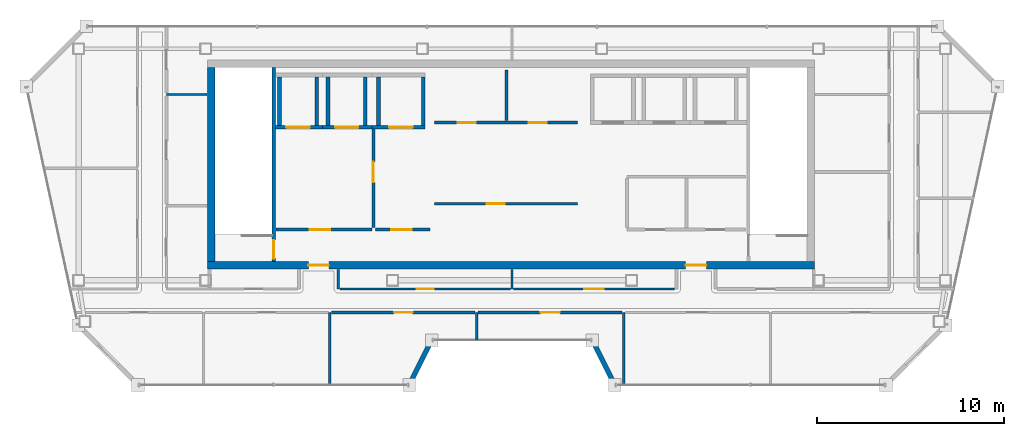
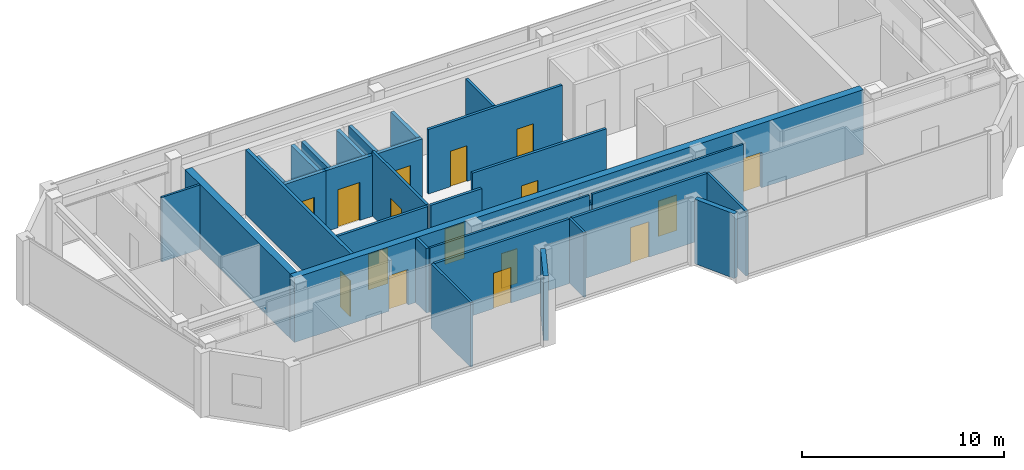
# One storey, part 14 of 17: 30 walls, 16 doors, 16 openings.
"""IFC4 building model written with IfcOpenShell, lengths in metres."""

from ifc_helpers import new_model, si_unit, direction, frame, frame_2d, origin, place, context, subcontext, project, spatial, rectangle, extrude, material, layer, layer_set, type_object, element, fill, save


model = new_model("IFC4")

# Units and contexts
model_context = context("Model", 3, precision=1e-05, world=origin(), true_north=direction((0.0, 1.0)))
body_context = subcontext(model_context, "Body", "Model", "MODEL_VIEW")
ifc_project = project(units=[si_unit("LENGTHUNIT", "METRE"), si_unit("AREAUNIT", "SQUARE_METRE"), si_unit("VOLUMEUNIT", "CUBIC_METRE"), si_unit("PLANEANGLEUNIT", "RADIAN"), si_unit("MASSUNIT", "GRAM", prefix="KILO")], contexts=[model_context])

# Site, building, storey
site_placement = place(None, origin())
site = spatial("IfcSite", under=ifc_project, at=site_placement, CompositionType="ELEMENT")
building_placement = place(site_placement, origin())
building = spatial("IfcBuilding", under=site, at=building_placement, Name="Saevonmaru Cultural Tower", CompositionType="ELEMENT")
storey_placement = place(building_placement, frame((0.0, 0.0, 323.39990234375)))
storey = spatial("IfcBuildingStorey", under=building, at=storey_placement, Name="L77", CompositionType="ELEMENT", Elevation=323.39990234375)

# Wall, openings, doors
ifc_material_1 = material(Name="Concrete C50/60", Category="concrete")
ifc_layer_1 = layer(ifc_material_1, 0.39990234375, Name="Concrete C50/60")
ifc_layer_set_1 = layer_set([ifc_layer_1], Name="Concrete C50/60")
wall_type_1 = type_object("IfcWallType", Name="WL-CORE-400", PredefinedType="SHEAR", material=ifc_layer_set_1)
wall_1_placement = place(storey_placement, frame((13.699951171875, 43.199951171875, 0.0), z_axis=(0.0, 0.0, 1.0), x_axis=(1.0, 0.0, 0.0)))
wall_1 = element("IfcWall", 1, at=wall_1_placement, inside=storey, type_object=wall_type_1, Name="L77 Tower RC core shear wall S", PredefinedType="SHEAR", context=body_context, shape_type="SweptSolid", body=[
    extrude(rectangle(XDim=32.5, YDim=0.39990234375, at=frame_2d((16.25, 0.0))), origin(), (0.0, 0.0, 1.0), 3.900146484375),
])
opening_1_placement = place(wall_1_placement, frame((5.39990234375, 0.0, 0.0)))
opening_1 = element("IfcOpeningElement", 2, at=opening_1_placement, cuts=wall_1, Name="Opening FD-2", PredefinedType="OPENING", context=body_context, shape_type="SweptSolid", body=[
    extrude(rectangle(XDim=1.10009765625, YDim=2.14990234375, at=frame_2d((0.550048828125, 1.074951171875))), frame((0.0, 0.2099609375, 0.0), z_axis=(0.0, -1.0, 0.0), x_axis=(1.0, 0.0, 0.0)), (0.0, 0.0, 1.0), 0.419921875),
])
opening_2_placement = place(wall_1_placement, frame((25.60009765625, 0.0, 0.0)))
opening_2 = element("IfcOpeningElement", 3, at=opening_2_placement, cuts=wall_1, Name="Opening FD-2", PredefinedType="OPENING", context=body_context, shape_type="SweptSolid", body=[
    extrude(rectangle(XDim=1.10009765625, YDim=2.14990234375, at=frame_2d((0.550048828125, 1.074951171875))), frame((0.0, 0.2099609375, 0.0), z_axis=(0.0, -1.0, 0.0), x_axis=(1.0, 0.0, 0.0)), (0.0, 0.0, 1.0), 0.419921875),
])
ifc_material_2 = material(Name="Satin Bronze Anodised Aluminium", Category="aluminium")
door_type_1 = type_object("IfcDoorType", Name="DR-FD60-1100", OperationType="SINGLE_SWING_LEFT", PredefinedType="DOOR", material=ifc_material_2)
door_1_placement = place(opening_1_placement, origin())
door_1 = element("IfcDoor", 4, at=door_1_placement, inside=storey, type_object=door_type_1, Name="L77 Core West Lobby Fire Door", OperationType="SINGLE_SWING_LEFT", OverallHeight=2.14990234375, OverallWidth=1.10009765625, PredefinedType="DOOR", context=body_context, shape_type="SweptSolid", body=[
    extrude(rectangle(XDim=1.10009765625, YDim=2.14990234375, at=frame_2d((0.550048828125, 1.074951171875))), frame((0.0, 0.02490234375, 0.0), z_axis=(0.0, -1.0, 0.0), x_axis=(1.0, 0.0, 0.0)), (0.0, 0.0, 1.0), 0.050048828125),
])
fill(opening_1, door_1)
door_2_placement = place(opening_2_placement, origin())
door_2 = element("IfcDoor", 5, at=door_2_placement, inside=storey, type_object=door_type_1, Name="L77 Core East Lobby Fire Door", OperationType="SINGLE_SWING_LEFT", OverallHeight=2.14990234375, OverallWidth=1.10009765625, PredefinedType="DOOR", context=body_context, shape_type="SweptSolid", body=[
    extrude(rectangle(XDim=1.10009765625, YDim=2.14990234375, at=frame_2d((0.550048828125, 1.074951171875))), frame((0.0, 0.02490234375, 0.0), z_axis=(0.0, -1.0, 0.0), x_axis=(1.0, 0.0, 0.0)), (0.0, 0.0, 1.0), 0.050048828125),
])
fill(opening_2, door_2)

# Wall
wall_2_placement = place(storey_placement, frame((13.89990234375, 43.39990234375, 0.0), z_axis=(0.0, 0.0, 1.0), x_axis=(0.0, 1.0, 0.0)))
element("IfcWall", 6, at=wall_2_placement, inside=storey, type_object=wall_type_1, Name="L77 Tower RC core shear wall W", PredefinedType="SHEAR", context=body_context, shape_type="SweptSolid", body=[
    extrude(rectangle(XDim=10.400146484375, YDim=0.39990234375, at=frame_2d((5.2001953125, 0.0))), origin(), (0.0, 0.0, 1.0), 3.900146484375),
])

# Wall, opening, door
ifc_material_3 = material(Name="Gypsum Fireboard Partition", Category="gypsum")
ifc_layer_2 = layer(ifc_material_3, 0.14990234375, Name="Gypsum Fireboard Partition")
ifc_layer_set_2 = layer_set([ifc_layer_2], Name="Gypsum Fireboard Partition")
wall_type_2 = type_object("IfcWallType", Name="WL-CORE-PART-150", PredefinedType="PARTITIONING", material=ifc_layer_set_2)
wall_3_placement = place(storey_placement, frame((17.360107421875, 45.1201171875, 0.0), z_axis=(0.0, 0.0, 1.0), x_axis=(1.0, 0.0, 0.0)))
wall_3 = element("IfcWall", 7, at=wall_3_placement, inside=storey, type_object=wall_type_2, Name="L77 Firefighting Lift Lobby South Wall", PredefinedType="PARTITIONING", context=body_context, shape_type="SweptSolid", body=[
    extrude(rectangle(XDim=5.139892578125, YDim=0.14990234375, at=frame_2d((2.56982421875, 0.0))), origin(), (0.0, 0.0, 1.0), 3.900146484375),
])
opening_3_placement = place(wall_3_placement, frame((1.800048828125, 0.0, 0.0)))
opening_3 = element("IfcOpeningElement", 8, at=opening_3_placement, cuts=wall_3, Name="Opening FD-2", PredefinedType="OPENING", context=body_context, shape_type="SweptSolid", body=[
    extrude(rectangle(XDim=1.10009765625, YDim=2.14990234375, at=frame_2d((0.550048828125, 1.074951171875))), frame((0.0, 0.0849609375, 0.0), z_axis=(0.0, -1.0, 0.0), x_axis=(1.0, 0.0, 0.0)), (0.0, 0.0, 1.0), 0.169921875),
])
door_3_placement = place(opening_3_placement, origin())
door_3 = element("IfcDoor", 9, at=door_3_placement, inside=storey, type_object=door_type_1, Name="L77 Firefighting Lift Lobby South Door", OperationType="SINGLE_SWING_LEFT", OverallHeight=2.14990234375, OverallWidth=1.10009765625, PredefinedType="DOOR", context=body_context, shape_type="SweptSolid", body=[
    extrude(rectangle(XDim=1.10009765625, YDim=2.14990234375, at=frame_2d((0.550048828125, 1.074951171875))), frame((0.0, 0.02490234375, 0.0), z_axis=(0.0, -1.0, 0.0), x_axis=(1.0, 0.0, 0.0)), (0.0, 0.0, 1.0), 0.050048828125),
])
fill(opening_3, door_3)

wall_4_placement = place(storey_placement, frame((22.580078125, 50.550048828125, 0.0), z_axis=(0.0, 0.0, 1.0), x_axis=(0.0, -1.0, 0.0)))
wall_4 = element("IfcWall", 10, at=wall_4_placement, inside=storey, type_object=wall_type_2, Name="L77 Firefighting Lift Lobby East Wall", PredefinedType="PARTITIONING", context=body_context, shape_type="SweptSolid", body=[
    extrude(rectangle(XDim=5.330078125, YDim=0.14990234375, at=frame_2d((2.6650390625, 0.0))), origin(), (0.0, 0.0, 1.0), 3.900146484375),
])
opening_4_placement = place(wall_4_placement, frame((1.800048828125, 0.0, 0.0)))
opening_4 = element("IfcOpeningElement", 11, at=opening_4_placement, cuts=wall_4, Name="Opening FD-2", PredefinedType="OPENING", context=body_context, shape_type="SweptSolid", body=[
    extrude(rectangle(XDim=1.10009765625, YDim=2.14990234375, at=frame_2d((0.550048828125, 1.074951171875))), frame((0.0, 0.0849609375, 0.0), z_axis=(0.0, -1.0, 0.0), x_axis=(1.0, 0.0, 0.0)), (0.0, 0.0, 1.0), 0.169921875),
])
door_4_placement = place(opening_4_placement, origin())
door_4 = element("IfcDoor", 12, at=door_4_placement, inside=storey, type_object=door_type_1, Name="L77 Firefighting Lift Lobby East Door", OperationType="SINGLE_SWING_LEFT", OverallHeight=2.14990234375, OverallWidth=1.10009765625, PredefinedType="DOOR", context=body_context, shape_type="SweptSolid", body=[
    extrude(rectangle(XDim=1.10009765625, YDim=2.14990234375, at=frame_2d((0.550048828125, 1.074951171875))), frame((0.0, 0.02490234375, 0.0), z_axis=(0.0, -1.0, 0.0), x_axis=(1.0, 0.0, 0.0)), (0.0, 0.0, 1.0), 0.050048828125),
])
fill(opening_4, door_4)

wall_5_placement = place(storey_placement, frame((22.679931640625, 45.1201171875, 0.0), z_axis=(0.0, 0.0, 1.0), x_axis=(1.0, 0.0, 0.0)))
wall_5 = element("IfcWall", 13, at=wall_5_placement, inside=storey, type_object=wall_type_2, Name="L77 Service Lift Vestibule Wall", PredefinedType="PARTITIONING", context=body_context, shape_type="SweptSolid", body=[
    extrude(rectangle(XDim=2.920166015625, YDim=0.14990234375, at=frame_2d((1.4599609375, 0.0))), origin(), (0.0, 0.0, 1.0), 3.900146484375),
])
opening_5_placement = place(wall_5_placement, frame((0.85009765625, 0.0, 0.0)))
opening_5 = element("IfcOpeningElement", 14, at=opening_5_placement, cuts=wall_5, Name="Opening FD-2", PredefinedType="OPENING", context=body_context, shape_type="SweptSolid", body=[
    extrude(rectangle(XDim=1.10009765625, YDim=2.14990234375, at=frame_2d((0.550048828125, 1.074951171875))), frame((0.0, 0.0849609375, 0.0), z_axis=(0.0, -1.0, 0.0), x_axis=(1.0, 0.0, 0.0)), (0.0, 0.0, 1.0), 0.169921875),
])
door_5_placement = place(opening_5_placement, origin())
door_5 = element("IfcDoor", 15, at=door_5_placement, inside=storey, type_object=door_type_1, Name="L77 Service Lift Vestibule Door", OperationType="SINGLE_SWING_LEFT", OverallHeight=2.14990234375, OverallWidth=1.10009765625, PredefinedType="DOOR", context=body_context, shape_type="SweptSolid", body=[
    extrude(rectangle(XDim=1.10009765625, YDim=2.14990234375, at=frame_2d((0.550048828125, 1.074951171875))), frame((0.0, 0.02490234375, 0.0), z_axis=(0.0, -1.0, 0.0), x_axis=(1.0, 0.0, 0.0)), (0.0, 0.0, 1.0), 0.050048828125),
])
fill(opening_5, door_5)

# Wall, openings, doors
wall_6_placement = place(storey_placement, frame((25.85009765625, 50.85009765625, 0.0), z_axis=(0.0, 0.0, 1.0), x_axis=(1.0, 0.0, 0.0)))
wall_6 = element("IfcWall", 16, at=wall_6_placement, inside=storey, type_object=wall_type_2, Name="L77 Reclaimed Core Room South Wall", PredefinedType="PARTITIONING", context=body_context, shape_type="SweptSolid", body=[
    extrude(rectangle(XDim=7.64990234375, YDim=0.14990234375, at=frame_2d((3.824951171875, 0.0))), origin(), (0.0, 0.0, 1.0), 3.900146484375),
])
opening_6_placement = place(wall_6_placement, frame((1.25, 0.0, 0.0)))
opening_6 = element("IfcOpeningElement", 17, at=opening_6_placement, cuts=wall_6, Name="Opening FD-4", PredefinedType="OPENING", context=body_context, shape_type="SweptSolid", body=[
    extrude(rectangle(XDim=0.949951171875, YDim=2.14990234375, at=frame_2d((0.47509765625, 1.074951171875))), frame((0.0, 0.0849609375, 0.0), z_axis=(0.0, -1.0, 0.0), x_axis=(1.0, 0.0, 0.0)), (0.0, 0.0, 1.0), 0.169921875),
])
opening_7_placement = place(wall_6_placement, frame((5.050048828125, 0.0, 0.0)))
opening_7 = element("IfcOpeningElement", 18, at=opening_7_placement, cuts=wall_6, Name="Opening FD-4", PredefinedType="OPENING", context=body_context, shape_type="SweptSolid", body=[
    extrude(rectangle(XDim=0.949951171875, YDim=2.14990234375, at=frame_2d((0.47509765625, 1.074951171875))), frame((0.0, 0.0849609375, 0.0), z_axis=(0.0, -1.0, 0.0), x_axis=(1.0, 0.0, 0.0)), (0.0, 0.0, 1.0), 0.169921875),
])
door_type_2 = type_object("IfcDoorType", Name="DR-FD60-950", OperationType="SINGLE_SWING_LEFT", PredefinedType="DOOR", material=ifc_material_2)
door_6_placement = place(opening_6_placement, origin())
door_6 = element("IfcDoor", 19, at=door_6_placement, inside=storey, type_object=door_type_2, Name="L77 Reclaimed Archive Vault Door", OperationType="SINGLE_SWING_LEFT", OverallHeight=2.14990234375, OverallWidth=0.949951171875, PredefinedType="DOOR", context=body_context, shape_type="SweptSolid", body=[
    extrude(rectangle(XDim=0.949951171875, YDim=2.14990234375, at=frame_2d((0.47509765625, 1.074951171875))), frame((0.0, 0.02490234375, 0.0), z_axis=(0.0, -1.0, 0.0), x_axis=(1.0, 0.0, 0.0)), (0.0, 0.0, 1.0), 0.050048828125),
])
fill(opening_6, door_6)
door_7_placement = place(opening_7_placement, origin())
door_7 = element("IfcDoor", 20, at=door_7_placement, inside=storey, type_object=door_type_2, Name="L77 Reclaimed Conservation Storage Door", OperationType="SINGLE_SWING_LEFT", OverallHeight=2.14990234375, OverallWidth=0.949951171875, PredefinedType="DOOR", context=body_context, shape_type="SweptSolid", body=[
    extrude(rectangle(XDim=0.949951171875, YDim=2.14990234375, at=frame_2d((0.47509765625, 1.074951171875))), frame((0.0, 0.02490234375, 0.0), z_axis=(0.0, -1.0, 0.0), x_axis=(1.0, 0.0, 0.0)), (0.0, 0.0, 1.0), 0.050048828125),
])
fill(opening_7, door_7)

# Wall
wall_7_placement = place(storey_placement, frame((29.699951171875, 50.949951171875, 0.0), z_axis=(0.0, 0.0, 1.0), x_axis=(0.0, 1.0, 0.0)))
element("IfcWall", 21, at=wall_7_placement, inside=storey, type_object=wall_type_2, Name="L77 Reclaimed Vault Split", PredefinedType="PARTITIONING", context=body_context, shape_type="SweptSolid", body=[
    extrude(rectangle(XDim=2.699951171875, YDim=0.14990234375, at=frame_2d((1.35009765625, 0.0))), origin(), (0.0, 0.0, 1.0), 3.900146484375),
])

# Wall, opening, door
wall_8_placement = place(storey_placement, frame((25.85009765625, 46.5, 0.0), z_axis=(0.0, 0.0, 1.0), x_axis=(1.0, 0.0, 0.0)))
wall_8 = element("IfcWall", 22, at=wall_8_placement, inside=storey, type_object=wall_type_2, Name="L77 Reclaimed Mid-Shaft Wall", PredefinedType="PARTITIONING", context=body_context, shape_type="SweptSolid", body=[
    extrude(rectangle(XDim=7.64990234375, YDim=0.14990234375, at=frame_2d((3.824951171875, 0.0))), origin(), (0.0, 0.0, 1.0), 3.900146484375),
])
opening_8_placement = place(wall_8_placement, frame((2.800048828125, 0.0, 0.0)))
opening_8 = element("IfcOpeningElement", 23, at=opening_8_placement, cuts=wall_8, Name="Opening FD-4", PredefinedType="OPENING", context=body_context, shape_type="SweptSolid", body=[
    extrude(rectangle(XDim=0.949951171875, YDim=2.14990234375, at=frame_2d((0.47509765625, 1.074951171875))), frame((0.0, 0.0849609375, 0.0), z_axis=(0.0, -1.0, 0.0), x_axis=(1.0, 0.0, 0.0)), (0.0, 0.0, 1.0), 0.169921875),
])
door_8_placement = place(opening_8_placement, origin())
door_8 = element("IfcDoor", 24, at=door_8_placement, inside=storey, type_object=door_type_2, Name="L77 Reclaimed Manuscript Storage Door", OperationType="SINGLE_SWING_LEFT", OverallHeight=2.14990234375, OverallWidth=0.949951171875, PredefinedType="DOOR", context=body_context, shape_type="SweptSolid", body=[
    extrude(rectangle(XDim=0.949951171875, YDim=2.14990234375, at=frame_2d((0.47509765625, 1.074951171875))), frame((0.0, 0.02490234375, 0.0), z_axis=(0.0, -1.0, 0.0), x_axis=(1.0, 0.0, 0.0)), (0.0, 0.0, 1.0), 0.050048828125),
])
fill(opening_8, door_8)

# Walls
ifc_material_4 = material(Name="Granite-Clad Precast Concrete C40/50", Category="masonry")
ifc_layer_3 = layer(ifc_material_4, 0.260009765625, Name="Granite-Clad Precast Concrete C40/50")
ifc_layer_set_3 = layer_set([ifc_layer_3], Name="Granite-Clad Precast Concrete C40/50")
wall_type_3 = type_object("IfcWallType", Name="WL-EXT-SPANDREL-260", PredefinedType="STANDARD", material=ifc_layer_set_3)
for number, where, z_axis, x_axis, name in (
    (25, (24.571533203125, 36.943115234375, 0.0), (0.0, 0.0, 1.0), (0.4472135955, 0.894427191, 0.0), "L77 Chamfer Corner Spandrel Wall E3"),
    (26, (34.37158203125, 39.056884765625, 0.0), (0.0, 0.0, 1.0), (0.4472135955, -0.894427191, 0.0), "L77 Chamfer Corner Spandrel Wall E5"),
):
    element("IfcWall", number, at=place(storey_placement, frame(where, z_axis=z_axis, x_axis=x_axis)), inside=storey, type_object=wall_type_3, Name=name, PredefinedType="STANDARD", context=body_context, shape_type="SweptSolid", body=[
        extrude(rectangle(XDim=2.36328125, YDim=0.260009765625, at=frame_2d((1.181640625, 0.0))), origin(), (0.0, 0.0, 1.0), 3.900146484375),
    ])
ifc_layer_4 = layer(ifc_material_3, 0.14990234375, Name="Gypsum Fireboard Partition")
ifc_layer_set_4 = layer_set([ifc_layer_4], Name="Gypsum Fireboard Partition")
wall_type_4 = type_object("IfcWallType", Name="WL-PART-FIRE-150", PredefinedType="PARTITIONING", material=ifc_layer_set_4)
wall_9_placement = place(storey_placement, frame((20.699951171875, 41.93994140625, 0.0), z_axis=(0.0, 0.0, 1.0), x_axis=(0.0, 1.0, 0.0)))
element("IfcWall", 27, at=wall_9_placement, inside=storey, type_object=wall_type_4, Name="L77 Core Portal Side Wall W2", PredefinedType="PARTITIONING", context=body_context, shape_type="SweptSolid", body=[
    extrude(rectangle(XDim=1.0400390625, YDim=0.14990234375, at=frame_2d((0.52001953125, 0.0))), origin(), (0.0, 0.0, 1.0), 3.900146484375),
])

# Wall, opening, door
wall_10_placement = place(storey_placement, frame((20.33740234375, 40.679931640625, 0.0), z_axis=(0.0, 0.0, 1.0), x_axis=(1.0, 0.0, 0.0)))
wall_10 = element("IfcWall", 28, at=wall_10_placement, inside=storey, type_object=wall_type_4, Name="L77 Media Screening Auditorium Corridor Wall", PredefinedType="PARTITIONING", context=body_context, shape_type="SweptSolid", body=[
    extrude(rectangle(XDim=7.692626953125, YDim=0.14990234375, at=frame_2d((3.84619140625, 0.0))), origin(), (0.0, 0.0, 1.0), 3.900146484375),
])
opening_9_placement = place(wall_10_placement, frame((3.345947265625, 0.0, 0.0)))
opening_9 = element("IfcOpeningElement", 29, at=opening_9_placement, cuts=wall_10, Name="Opening ID-1B", PredefinedType="OPENING", context=body_context, shape_type="SweptSolid", body=[
    extrude(rectangle(XDim=1.0, YDim=2.14990234375, at=frame_2d((0.5, 1.074951171875))), frame((0.0, 0.0849609375, 0.0), z_axis=(0.0, -1.0, 0.0), x_axis=(1.0, 0.0, 0.0)), (0.0, 0.0, 1.0), 0.169921875),
])
ifc_material_5 = material(Name="Acoustic Stained Oak Timber", Category="wood")
door_type_3 = type_object("IfcDoorType", Name="DR-INT-1000", OperationType="SINGLE_SWING_RIGHT", PredefinedType="DOOR", material=ifc_material_5)
door_9_placement = place(opening_9_placement, origin())
door_9 = element("IfcDoor", 30, at=door_9_placement, inside=storey, type_object=door_type_3, Name="L77 Media Screening Auditorium Door", OperationType="SINGLE_SWING_LEFT", OverallHeight=2.14990234375, OverallWidth=1.0, PredefinedType="DOOR", context=body_context, shape_type="SweptSolid", body=[
    extrude(rectangle(XDim=1.0, YDim=2.14990234375, at=frame_2d((0.5, 1.074951171875))), frame((0.0, 0.02490234375, 0.0), z_axis=(0.0, -1.0, 0.0), x_axis=(1.0, 0.0, 0.0)), (0.0, 0.0, 1.0), 0.050048828125),
])
fill(opening_9, door_9)

wall_11_placement = place(storey_placement, frame((28.18994140625, 40.679931640625, 0.0), z_axis=(0.0, 0.0, 1.0), x_axis=(1.0, 0.0, 0.0)))
wall_11 = element("IfcWall", 31, at=wall_11_placement, inside=storey, type_object=wall_type_4, Name="L77 Visual Arts Critique Gallery Corridor Wall", PredefinedType="PARTITIONING", context=body_context, shape_type="SweptSolid", body=[
    extrude(rectangle(XDim=7.70263671875, YDim=0.14990234375, at=frame_2d((3.851318359375, 0.0))), origin(), (0.0, 0.0, 1.0), 3.900146484375),
])
opening_10_placement = place(wall_11_placement, frame((3.325927734375, 0.0, 0.0)))
opening_10 = element("IfcOpeningElement", 32, at=opening_10_placement, cuts=wall_11, Name="Opening ID-1", PredefinedType="OPENING", context=body_context, shape_type="SweptSolid", body=[
    extrude(rectangle(XDim=1.050048828125, YDim=2.14990234375, at=frame_2d((0.52490234375, 1.074951171875))), frame((0.0, 0.0849609375, 0.0), z_axis=(0.0, -1.0, 0.0), x_axis=(1.0, 0.0, 0.0)), (0.0, 0.0, 1.0), 0.169921875),
])
door_type_4 = type_object("IfcDoorType", Name="DR-INT-1050", OperationType="SINGLE_SWING_LEFT", PredefinedType="DOOR", material=ifc_material_2)
door_10_placement = place(opening_10_placement, origin())
door_10 = element("IfcDoor", 33, at=door_10_placement, inside=storey, type_object=door_type_4, Name="L77 Visual Arts Critique Gallery Door", OperationType="SINGLE_SWING_RIGHT", OverallHeight=2.14990234375, OverallWidth=1.050048828125, PredefinedType="DOOR", context=body_context, shape_type="SweptSolid", body=[
    extrude(rectangle(XDim=1.050048828125, YDim=2.14990234375, at=frame_2d((0.52490234375, 1.074951171875))), frame((0.0, 0.02490234375, 0.0), z_axis=(0.0, -1.0, 0.0), x_axis=(1.0, 0.0, 0.0)), (0.0, 0.0, 1.0), 0.050048828125),
])
fill(opening_10, door_10)

# Walls
ifc_layer_5 = layer(ifc_material_3, 0.1201171875, Name="Gypsum Fireboard Partition")
ifc_layer_set_5 = layer_set([ifc_layer_5], Name="Gypsum Fireboard Partition")
wall_type_5 = type_object("IfcWallType", Name="WL-PART-GYP-120", PredefinedType="PARTITIONING", material=ifc_layer_set_5)
wall_12_placement = place(storey_placement, frame((11.5, 52.35009765625, 0.0), z_axis=(0.0, 0.0, 1.0), x_axis=(1.0, 0.0, 0.0)))
element("IfcWall", 34, at=wall_12_placement, inside=storey, type_object=wall_type_5, Name="L77 North-West Panorama South Wall", PredefinedType="PARTITIONING", context=body_context, shape_type="SweptSolid", body=[
    extrude(rectangle(XDim=2.179931640625, YDim=0.1201171875, at=frame_2d((1.08984375, 0.0))), origin(), (0.0, 0.0, 1.0), 3.900146484375),
])
wall_13_placement = place(storey_placement, frame((30.0, 41.93994140625, 0.0), z_axis=(0.0, 0.0, 1.0), x_axis=(0.0, 1.0, 0.0)))
element("IfcWall", 35, at=wall_13_placement, inside=storey, type_object=wall_type_5, Name="L77 Spine Alcove Split", PredefinedType="PARTITIONING", context=body_context, shape_type="SweptSolid", body=[
    extrude(rectangle(XDim=1.0400390625, YDim=0.1201171875, at=frame_2d((0.52001953125, 0.0))), origin(), (0.0, 0.0, 1.0), 3.297119140625),
])

# Wall, opening, door
wall_14_placement = place(storey_placement, frame((20.794921875, 41.93994140625, 0.0), z_axis=(0.0, 0.0, 1.0), x_axis=(1.0, 0.0, 0.0)))
wall_14 = element("IfcWall", 36, at=wall_14_placement, inside=storey, type_object=wall_type_5, Name="L77 Digital Media Classroom Corridor Wall", PredefinedType="PARTITIONING", context=body_context, shape_type="SweptSolid", body=[
    extrude(rectangle(XDim=9.125, YDim=0.1201171875, at=frame_2d((4.5625, 0.0))), origin(), (0.0, 0.0, 1.0), 3.900146484375),
])
opening_11_placement = place(wall_14_placement, frame((4.112060546875, 0.0, 0.0)))
opening_11 = element("IfcOpeningElement", 37, at=opening_11_placement, cuts=wall_14, Name="Opening ID-2", PredefinedType="OPENING", context=body_context, shape_type="SweptSolid", body=[
    extrude(rectangle(XDim=0.89990234375, YDim=2.10009765625, at=frame_2d((0.449951171875, 1.050048828125))), frame((0.0, 0.070068359375, 0.0), z_axis=(0.0, -1.0, 0.0), x_axis=(1.0, 0.0, 0.0)), (0.0, 0.0, 1.0), 0.14013671875),
])
door_type_5 = type_object("IfcDoorType", Name="DR-INT-900", OperationType="SINGLE_SWING_RIGHT", PredefinedType="DOOR", material=ifc_material_5)
door_11_placement = place(opening_11_placement, origin())
door_11 = element("IfcDoor", 38, at=door_11_placement, inside=storey, type_object=door_type_5, Name="L77 Digital Media Classroom Door", OperationType="SINGLE_SWING_RIGHT", OverallHeight=2.10009765625, OverallWidth=0.89990234375, PredefinedType="DOOR", context=body_context, shape_type="SweptSolid", body=[
    extrude(rectangle(XDim=0.89990234375, YDim=2.10009765625, at=frame_2d((0.449951171875, 1.050048828125))), frame((0.0, 0.02490234375, 0.0), z_axis=(0.0, -1.0, 0.0), x_axis=(1.0, 0.0, 0.0)), (0.0, 0.0, 1.0), 0.050048828125),
])
fill(opening_11, door_11)

wall_15_placement = place(storey_placement, frame((30.080078125, 41.93994140625, 0.0), z_axis=(0.0, 0.0, 1.0), x_axis=(1.0, 0.0, 0.0)))
wall_15 = element("IfcWall", 39, at=wall_15_placement, inside=storey, type_object=wall_type_5, Name="L77 Cartographic Study Library Corridor Wall", PredefinedType="PARTITIONING", context=body_context, shape_type="SweptSolid", body=[
    extrude(rectangle(XDim=8.625, YDim=0.1201171875, at=frame_2d((4.3125, 0.0))), origin(), (0.0, 0.0, 1.0), 3.900146484375),
])
opening_12_placement = place(wall_15_placement, frame((3.7880859375, 0.0, 0.0)))
opening_12 = element("IfcOpeningElement", 40, at=opening_12_placement, cuts=wall_15, Name="Opening ID-1", PredefinedType="OPENING", context=body_context, shape_type="SweptSolid", body=[
    extrude(rectangle(XDim=1.050048828125, YDim=2.14990234375, at=frame_2d((0.52490234375, 1.074951171875))), frame((0.0, 0.070068359375, 0.0), z_axis=(0.0, -1.0, 0.0), x_axis=(1.0, 0.0, 0.0)), (0.0, 0.0, 1.0), 0.14013671875),
])
door_12_placement = place(opening_12_placement, origin())
door_12 = element("IfcDoor", 41, at=door_12_placement, inside=storey, type_object=door_type_4, Name="L77 Cartographic Study Library Door", OperationType="SINGLE_SWING_LEFT", OverallHeight=2.14990234375, OverallWidth=1.050048828125, PredefinedType="DOOR", context=body_context, shape_type="SweptSolid", body=[
    extrude(rectangle(XDim=1.050048828125, YDim=2.14990234375, at=frame_2d((0.52490234375, 1.074951171875))), frame((0.0, 0.02490234375, 0.0), z_axis=(0.0, -1.0, 0.0), x_axis=(1.0, 0.0, 0.0)), (0.0, 0.0, 1.0), 0.050048828125),
])
fill(opening_12, door_12)

# Walls
wall_16_placement = place(storey_placement, frame((28.110107421875, 39.205078125, 0.0), z_axis=(0.0, 0.0, 1.0), x_axis=(0.0, 1.0, 0.0)))
element("IfcWall", 42, at=wall_16_placement, inside=storey, type_object=wall_type_5, Name="L77 Observatory Bay Divider 3", PredefinedType="PARTITIONING", context=body_context, shape_type="SweptSolid", body=[
    extrude(rectangle(XDim=1.474853515625, YDim=0.1201171875, at=frame_2d((0.7373046875, 0.0))), origin(), (0.0, 0.0, 1.0), 3.900146484375),
])
ifc_layer_6 = layer(ifc_material_3, 0.135009765625, Name="Gypsum Fireboard Partition")
ifc_layer_set_6 = layer_set([ifc_layer_6], Name="Gypsum Fireboard Partition")
wall_type_6 = type_object("IfcWallType", Name="WL-PART-GYP-135", PredefinedType="PARTITIONING", material=ifc_layer_set_6)
for number, where, z_axis, x_axis, name in (
    (43, (20.25, 36.804931640625, 0.0), (0.0, 0.0, 1.0), (0.0, 1.0, 0.0), "L77 Observatory Bay Divider 2"),
    (44, (35.97998046875, 36.804931640625, 0.0), (0.0, 0.0, 1.0), (0.0, 1.0, 0.0), "L77 Observatory Bay Divider 4"),
):
    element("IfcWall", number, at=place(storey_placement, frame(where, z_axis=z_axis, x_axis=x_axis)), inside=storey, type_object=wall_type_6, Name=name, PredefinedType="PARTITIONING", context=body_context, shape_type="SweptSolid", body=[
        extrude(rectangle(XDim=3.875, YDim=0.135009765625, at=frame_2d((1.9375, 0.0))), origin(), (0.0, 0.0, 1.0), 3.900146484375),
    ])

# Wall, opening, door
ifc_material_6 = material(Name="Concrete C40/50", Category="concrete")
ifc_layer_7 = layer(ifc_material_6, 0.199951171875, Name="Concrete C40/50")
ifc_layer_set_7 = layer_set([ifc_layer_7], Name="Concrete C40/50")
wall_type_7 = type_object("IfcWallType", Name="WL-SHAFT-200", PredefinedType="SHEAR", material=ifc_layer_set_7)
wall_17_placement = place(storey_placement, frame((17.330078125, 50.60009765625, 0.0), z_axis=(0.0, 0.0, 1.0), x_axis=(1.0, 0.0, 0.0)))
wall_17 = element("IfcWall", 45, at=wall_17_placement, inside=storey, type_object=wall_type_7, Name="L77 Lift FFL-1 Hoistway Wall S", PredefinedType="SHEAR", context=body_context, shape_type="SweptSolid", body=[
    extrude(rectangle(XDim=2.52001953125, YDim=0.199951171875, at=frame_2d((1.260009765625, 0.0))), origin(), (0.0, 0.0, 1.0), 3.68017578125),
])
opening_13_placement = place(wall_17_placement, frame((0.594970703125, 0.0, 0.0)))
opening_13 = element("IfcOpeningElement", 46, at=opening_13_placement, cuts=wall_17, Name="Opening LD-2", PredefinedType="OPENING", context=body_context, shape_type="SweptSolid", body=[
    extrude(rectangle(XDim=1.25, YDim=2.300048828125, at=frame_2d((0.625, 1.14990234375))), frame((0.0, 0.10986328125, 0.0), z_axis=(0.0, -1.0, 0.0), x_axis=(1.0, 0.0, 0.0)), (0.0, 0.0, 1.0), 0.219970703125),
])
ifc_material_7 = material(Name="Stainless Steel 316", Category="steel")
door_type_6 = type_object("IfcDoorType", Name="DR-LIFT-1250", OperationType="SLIDING_TO_LEFT", PredefinedType="DOOR", material=ifc_material_7)
door_13_placement = place(opening_13_placement, origin())
door_13 = element("IfcDoor", 47, at=door_13_placement, inside=storey, type_object=door_type_6, Name="L77 Lift FFL-1 Sliding Landing Door", OperationType="SLIDING_TO_LEFT", OverallHeight=2.300048828125, OverallWidth=1.25, PredefinedType="DOOR", context=body_context, shape_type="SweptSolid", body=[
    extrude(rectangle(XDim=1.25, YDim=2.300048828125, at=frame_2d((0.625, 1.14990234375))), frame((0.0, 0.02490234375, 0.0), z_axis=(0.0, -1.0, 0.0), x_axis=(1.0, 0.0, 0.0)), (0.0, 0.0, 1.0), 0.050048828125),
])
fill(opening_13, door_13)

# Walls
for number, where, z_axis, x_axis, name in (
    (48, (17.550048828125, 50.699951171875, 0.0), (0.0, 0.0, 1.0), (0.0, 1.0, 0.0), "L77 Lift FFL-1 Hoistway Wall W"),
    (49, (19.550048828125, 50.699951171875, 0.0), (0.0, 0.0, 1.0), (0.0, 1.0, 0.0), "L77 Lift FFL-1 Hoistway Wall E"),
):
    element("IfcWall", number, at=place(storey_placement, frame(where, z_axis=z_axis, x_axis=x_axis)), inside=storey, type_object=wall_type_7, Name=name, PredefinedType="SHEAR", context=body_context, shape_type="SweptSolid", body=[
        extrude(rectangle(XDim=2.60009765625, YDim=0.199951171875, at=frame_2d((1.300048828125, 0.0))), origin(), (0.0, 0.0, 1.0), 3.68017578125),
    ])

# Wall, opening, door
wall_18_placement = place(storey_placement, frame((19.85009765625, 50.60009765625, 0.0), z_axis=(0.0, 0.0, 1.0), x_axis=(1.0, 0.0, 0.0)))
wall_18 = element("IfcWall", 50, at=wall_18_placement, inside=storey, type_object=wall_type_7, Name="L77 Lift FFL-2 Hoistway Wall S", PredefinedType="SHEAR", context=body_context, shape_type="SweptSolid", body=[
    extrude(rectangle(XDim=2.64990234375, YDim=0.199951171875, at=frame_2d((1.324951171875, 0.0))), origin(), (0.0, 0.0, 1.0), 3.68017578125),
])
opening_14_placement = place(wall_18_placement, frame((0.675048828125, 0.0, 0.0)))
opening_14 = element("IfcOpeningElement", 51, at=opening_14_placement, cuts=wall_18, Name="Opening LD-2", PredefinedType="OPENING", context=body_context, shape_type="SweptSolid", body=[
    extrude(rectangle(XDim=1.25, YDim=2.300048828125, at=frame_2d((0.625, 1.14990234375))), frame((0.0, 0.10986328125, 0.0), z_axis=(0.0, -1.0, 0.0), x_axis=(1.0, 0.0, 0.0)), (0.0, 0.0, 1.0), 0.219970703125),
])
door_14_placement = place(opening_14_placement, origin())
door_14 = element("IfcDoor", 52, at=door_14_placement, inside=storey, type_object=door_type_6, Name="L77 Lift FFL-2 Sliding Landing Door", OperationType="SLIDING_TO_LEFT", OverallHeight=2.300048828125, OverallWidth=1.25, PredefinedType="DOOR", context=body_context, shape_type="SweptSolid", body=[
    extrude(rectangle(XDim=1.25, YDim=2.300048828125, at=frame_2d((0.625, 1.14990234375))), frame((0.0, 0.02490234375, 0.0), z_axis=(0.0, -1.0, 0.0), x_axis=(1.0, 0.0, 0.0)), (0.0, 0.0, 1.0), 0.050048828125),
])
fill(opening_14, door_14)

# Walls
for number, where, z_axis, x_axis, name in (
    (53, (20.14990234375, 50.699951171875, 0.0), (0.0, 0.0, 1.0), (0.0, 1.0, 0.0), "L77 Lift FFL-2 Hoistway Wall W"),
    (54, (22.14990234375, 50.699951171875, 0.0), (0.0, 0.0, 1.0), (0.0, 1.0, 0.0), "L77 Lift FFL-2 Hoistway Wall E"),
):
    element("IfcWall", number, at=place(storey_placement, frame(where, z_axis=z_axis, x_axis=x_axis)), inside=storey, type_object=wall_type_7, Name=name, PredefinedType="SHEAR", context=body_context, shape_type="SweptSolid", body=[
        extrude(rectangle(XDim=2.60009765625, YDim=0.199951171875, at=frame_2d((1.300048828125, 0.0))), origin(), (0.0, 0.0, 1.0), 3.68017578125),
    ])

# Wall, opening, door
wall_19_placement = place(storey_placement, frame((22.5, 50.60009765625, 0.0), z_axis=(0.0, 0.0, 1.0), x_axis=(1.0, 0.0, 0.0)))
wall_19 = element("IfcWall", 55, at=wall_19_placement, inside=storey, type_object=wall_type_7, Name="L77 Lift GL-1 Hoistway Wall S", PredefinedType="SHEAR", context=body_context, shape_type="SweptSolid", body=[
    extrude(rectangle(XDim=2.85009765625, YDim=0.199951171875, at=frame_2d((1.425048828125, 0.0))), origin(), (0.0, 0.0, 1.0), 3.68017578125),
])
opening_15_placement = place(wall_19_placement, frame((0.925048828125, 0.0, 0.0)))
opening_15 = element("IfcOpeningElement", 56, at=opening_15_placement, cuts=wall_19, Name="Opening LD-2", PredefinedType="OPENING", context=body_context, shape_type="SweptSolid", body=[
    extrude(rectangle(XDim=1.25, YDim=2.300048828125, at=frame_2d((0.625, 1.14990234375))), frame((0.0, 0.10986328125, 0.0), z_axis=(0.0, -1.0, 0.0), x_axis=(1.0, 0.0, 0.0)), (0.0, 0.0, 1.0), 0.219970703125),
])
door_15_placement = place(opening_15_placement, origin())
door_15 = element("IfcDoor", 57, at=door_15_placement, inside=storey, type_object=door_type_6, Name="L77 Lift GL-1 Sliding Landing Door", OperationType="SLIDING_TO_LEFT", OverallHeight=2.300048828125, OverallWidth=1.25, PredefinedType="DOOR", context=body_context, shape_type="SweptSolid", body=[
    extrude(rectangle(XDim=1.25, YDim=2.300048828125, at=frame_2d((0.625, 1.14990234375))), frame((0.0, 0.02490234375, 0.0), z_axis=(0.0, -1.0, 0.0), x_axis=(1.0, 0.0, 0.0)), (0.0, 0.0, 1.0), 0.050048828125),
])
fill(opening_15, door_15)

# Walls
for number, where, z_axis, x_axis, name in (
    (58, (22.85009765625, 50.699951171875, 0.0), (0.0, 0.0, 1.0), (0.0, 1.0, 0.0), "L77 Lift GL-1 Hoistway Wall W"),
    (59, (25.25, 50.699951171875, 0.0), (0.0, 0.0, 1.0), (0.0, 1.0, 0.0), "L77 Lift GL-1 Hoistway Wall E"),
):
    element("IfcWall", number, at=place(storey_placement, frame(where, z_axis=z_axis, x_axis=x_axis)), inside=storey, type_object=wall_type_7, Name=name, PredefinedType="SHEAR", context=body_context, shape_type="SweptSolid", body=[
        extrude(rectangle(XDim=2.60009765625, YDim=0.199951171875, at=frame_2d((1.300048828125, 0.0))), origin(), (0.0, 0.0, 1.0), 3.68017578125),
    ])

# Wall, opening, door
ifc_layer_8 = layer(ifc_material_6, 0.179931640625, Name="Concrete C40/50")
ifc_layer_set_8 = layer_set([ifc_layer_8], Name="Concrete C40/50")
wall_type_8 = type_object("IfcWallType", Name="WL-STSHAFT-180", PredefinedType="SHEAR", material=ifc_layer_set_8)
wall_20_placement = place(storey_placement, frame((17.239990234375, 43.39990234375, 0.0), z_axis=(0.0, 0.0, 1.0), x_axis=(0.0, 1.0, 0.0)))
wall_20 = element("IfcWall", 60, at=wall_20_placement, inside=storey, type_object=wall_type_8, Name="L77 Stair ST-1 Structural Shaft Wall 1", PredefinedType="SHEAR", context=body_context, shape_type="SweptSolid", body=[
    extrude(rectangle(XDim=10.400146484375, YDim=0.179931640625, at=frame_2d((5.2001953125, 0.0))), origin(), (0.0, 0.0, 1.0), 3.900146484375),
])
opening_16_placement = place(wall_20_placement, frame((0.159912109375, 0.0, 0.0)))
opening_16 = element("IfcOpeningElement", 61, at=opening_16_placement, cuts=wall_20, Name="Opening FD-3", PredefinedType="OPENING", context=body_context, shape_type="SweptSolid", body=[
    extrude(rectangle(XDim=1.0, YDim=2.14990234375, at=frame_2d((0.5, 1.074951171875))), frame((0.0, 0.10009765625, 0.0), z_axis=(0.0, -1.0, 0.0), x_axis=(1.0, 0.0, 0.0)), (0.0, 0.0, 1.0), 0.199951171875),
])
door_type_7 = type_object("IfcDoorType", Name="DR-FD60-1000", OperationType="SINGLE_SWING_RIGHT", PredefinedType="DOOR", material=ifc_material_2)
door_16_placement = place(opening_16_placement, origin())
door_16 = element("IfcDoor", 62, at=door_16_placement, inside=storey, type_object=door_type_7, Name="L77 Protected Stair ST-1 Fire Door", OperationType="SINGLE_SWING_RIGHT", OverallHeight=2.14990234375, OverallWidth=1.0, PredefinedType="DOOR", context=body_context, shape_type="SweptSolid", body=[
    extrude(rectangle(XDim=1.0, YDim=2.14990234375, at=frame_2d((0.5, 1.074951171875))), frame((0.0, 0.02490234375, 0.0), z_axis=(0.0, -1.0, 0.0), x_axis=(1.0, 0.0, 0.0)), (0.0, 0.0, 1.0), 0.050048828125),
])
fill(opening_16, door_16)

save(model, "model.ifc")
